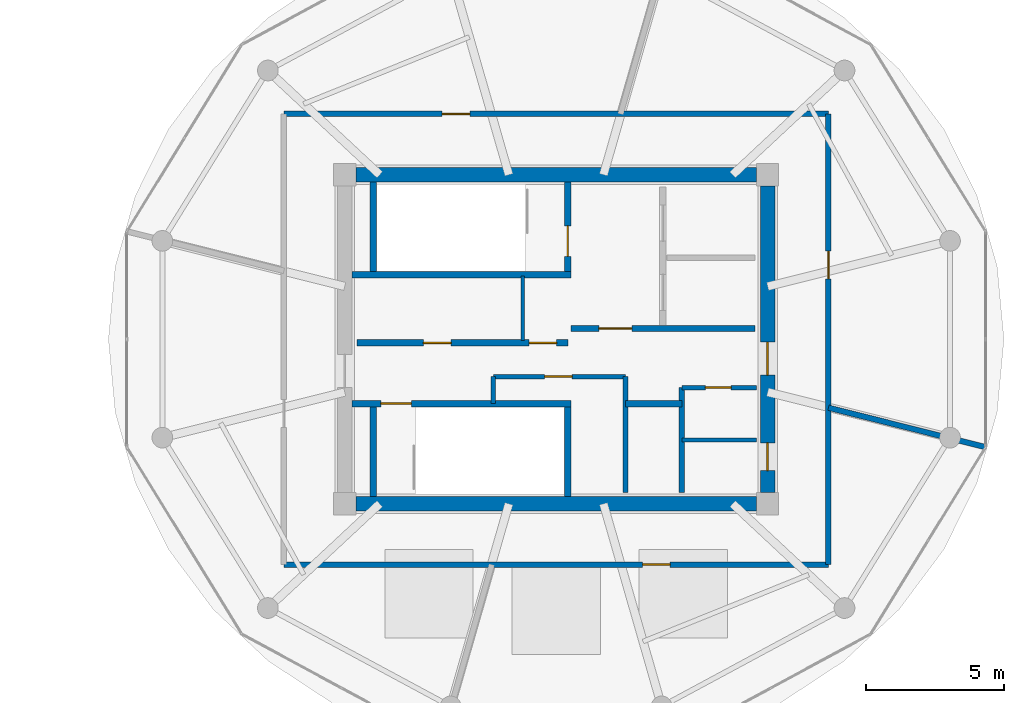
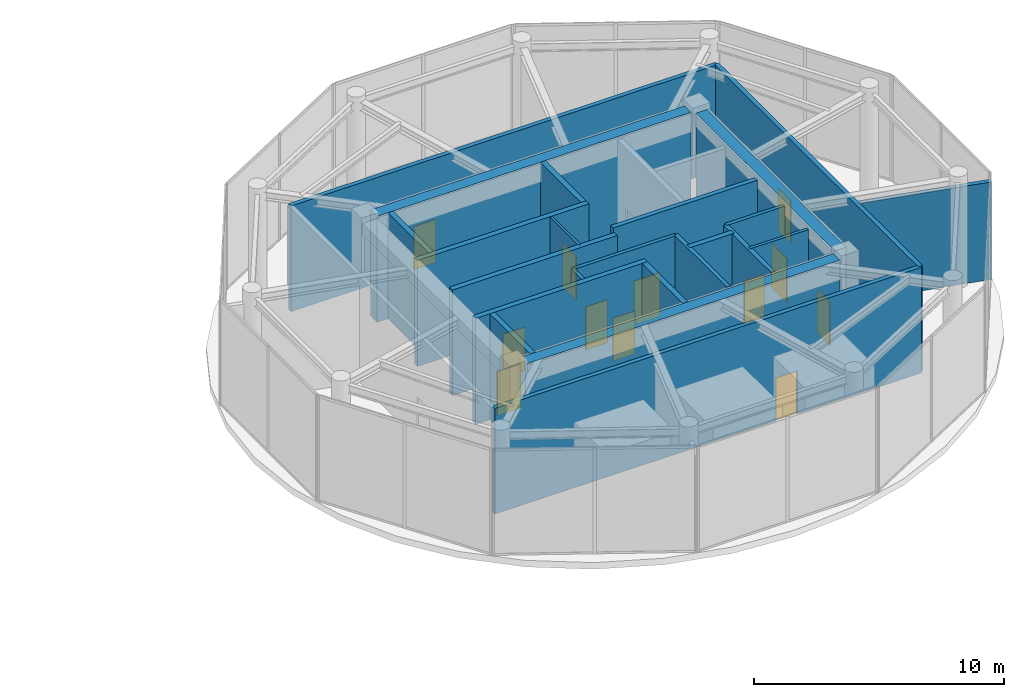
# One storey, part 12 of 15: 23 walls, 12 doors, 12 openings.
"""IFC4 building model written with IfcOpenShell, lengths in metres."""

from ifc_helpers import new_model, si_unit, direction, frame, frame_2d, origin, place, context, subcontext, project, spatial, rectangle, extrude, source, transform, mapped, material, layer, layer_set, type_object, type_shapes, element, fill, save


model = new_model("IFC4")

# Units and contexts
model_context = context("Model", 3, precision=1e-05, world=origin(), true_north=direction((0.0, 1.0)))
body_context = subcontext(model_context, "Body", "Model", "MODEL_VIEW")
ifc_project = project(units=[si_unit("LENGTHUNIT", "METRE"), si_unit("AREAUNIT", "SQUARE_METRE"), si_unit("VOLUMEUNIT", "CUBIC_METRE"), si_unit("PLANEANGLEUNIT", "RADIAN"), si_unit("MASSUNIT", "GRAM", prefix="KILO")], contexts=[model_context])

# Site, building, storey
site_placement = place(None, origin())
site = spatial("IfcSite", under=ifc_project, at=site_placement, CompositionType="ELEMENT")
building_placement = place(site_placement, origin())
building = spatial("IfcBuilding", under=site, at=building_placement, Name="Norrkilde Senior Care Towers", CompositionType="ELEMENT")
storey_placement = place(building_placement, frame((0.0, 0.0, 244.39990234375)))
storey = spatial("IfcBuildingStorey", under=building, at=storey_placement, Name="L76", CompositionType="ELEMENT", Elevation=244.39990234375)

# Walls
ifc_material_1 = material(Name="Concrete C50/60", Category="concrete")
ifc_layer_1 = layer(ifc_material_1, 0.52001953125)
ifc_layer_set_1 = layer_set([ifc_layer_1], Name="Concrete C50/60")
wall_type_1 = type_object("IfcWallType", Name="Core Shear Wall Z4 520", PredefinedType="SHEAR", material=ifc_layer_set_1)
shared_shape_1 = source(origin(), body_context, "Body", "SweptSolid", [
    extrude(rectangle(XDim=14.5, YDim=0.52001953125, at=frame_2d((7.25, 0.0))), origin(), (0.0, 0.0, 1.0), 5.175048828125),
])
for number, where, z_axis, x_axis, name in (
    (1, (20.75, 5.949951171875, 0.0), (0.0, 0.0, 1.0), (1.0, 0.0, 0.0), "L76 Core E North Shear Wall"),
    (2, (35.25, -5.949951171875, 0.0), (0.0, 0.0, 1.0), (-1.0, 0.0, 0.0), "L76 Core E South Shear Wall"),
):
    element("IfcWall", number, at=place(storey_placement, frame(where, z_axis=z_axis, x_axis=x_axis)), inside=storey, type_object=wall_type_1, Name=name, PredefinedType="SHEAR", context=body_context, shape_type="MappedRepresentation", body=[
        mapped(shared_shape_1, transform((0.0, 0.0, 0.0), x_axis=(1.0, 0.0, 0.0), y_axis=(0.0, 1.0, 0.0), z_axis=(0.0, 0.0, 1.0), scale=1.0)),
    ])

# Wall, openings, doors
shared_shape_2 = source(origin(), body_context, "Body", "SweptSolid", [
    extrude(rectangle(XDim=11.10009765625, YDim=0.52001953125, at=frame_2d((5.550048828125, 0.0))), origin(), (0.0, 0.0, 1.0), 5.175048828125),
])
type_shapes(wall_type_1, [shared_shape_1, shared_shape_2])
wall_1_placement = place(storey_placement, frame((35.64990234375, 5.550048828125, 0.0), z_axis=(0.0, 0.0, 1.0), x_axis=(0.0, -1.0, 0.0)))
wall_1 = element("IfcWall", 3, at=wall_1_placement, inside=storey, type_object=wall_type_1, Name="L76 Core E East Shear Wall", PredefinedType="SHEAR", context=body_context, shape_type="MappedRepresentation", body=[
    mapped(shared_shape_2, transform((0.0, 0.0, 0.0), x_axis=(1.0, 0.0, 0.0), y_axis=(0.0, 1.0, 0.0), z_axis=(0.0, 0.0, 1.0), scale=1.0)),
])
opening_1_placement = place(wall_1_placement, frame((5.64990234375, 0.0, 0.0)))
opening_1 = element("IfcOpeningElement", 4, at=opening_1_placement, cuts=wall_1, Name="Opening D-04", PredefinedType="OPENING", context=body_context, shape_type="SweptSolid", body=[
    extrude(rectangle(XDim=1.199951171875, YDim=2.14990234375, at=frame_2d((0.60009765625, 1.074951171875))), frame((0.0, 0.27001953125, 0.0), z_axis=(0.0, -1.0, 0.0), x_axis=(1.0, 0.0, 0.0)), (0.0, 0.0, 1.0), 0.5400390625),
])
opening_2_placement = place(wall_1_placement, frame((9.300048828125, 0.0, 0.0)))
opening_2 = element("IfcOpeningElement", 5, at=opening_2_placement, cuts=wall_1, Name="Opening D-10", PredefinedType="OPENING", context=body_context, shape_type="SweptSolid", body=[
    extrude(rectangle(XDim=1.0, YDim=2.10009765625, at=frame_2d((0.5, 1.050048828125))), frame((0.0, 0.27001953125, 0.0), z_axis=(0.0, -1.0, 0.0), x_axis=(1.0, 0.0, 0.0)), (0.0, 0.0, 1.0), 0.5400390625),
])
ifc_material_2 = material(Name="Galvanised Painted Steel", Category="steel")
door_type_1 = type_object("IfcDoorType", Name="Firefighting Lobby Fire Door 1200x2150", OperationType="NOTDEFINED", PredefinedType="DOOR", material=ifc_material_2)
shared_shape_3 = source(origin(), body_context, "Body", "SweptSolid", [
    extrude(rectangle(XDim=1.199951171875, YDim=2.14990234375, at=frame_2d((0.60009765625, 1.074951171875))), frame((0.0, 0.02490234375, 0.0), z_axis=(0.0, -1.0, 0.0), x_axis=(1.0, 0.0, 0.0)), (0.0, 0.0, 1.0), 0.050048828125),
])
type_shapes(door_type_1, [shared_shape_3])
door_1_placement = place(opening_1_placement, frame((1.199951171875, 0.0, 0.0), z_axis=(0.0, 0.0, 1.0), x_axis=(-1.0, 0.0, 0.0)))
door_1 = element("IfcDoor", 6, at=door_1_placement, inside=storey, type_object=door_type_1, Name="L76 Core E East Portal Door", OperationType="SINGLE_SWING_RIGHT", OverallHeight=2.14990234375, OverallWidth=1.199951171875, PredefinedType="DOOR", context=body_context, shape_type="MappedRepresentation", body=[
    mapped(shared_shape_3, transform((0.0, 0.0, 0.0), x_axis=(1.0, 0.0, 0.0), y_axis=(0.0, 1.0, 0.0), z_axis=(0.0, 0.0, 1.0), scale=1.0)),
])
fill(opening_1, door_1)
door_type_2 = type_object("IfcDoorType", Name="Plant and Riser Rated Door 1000x2100", OperationType="NOTDEFINED", PredefinedType="DOOR", material=ifc_material_2)
shared_shape_4 = source(origin(), body_context, "Body", "SweptSolid", [
    extrude(rectangle(XDim=1.0, YDim=2.10009765625, at=frame_2d((0.5, 1.050048828125))), frame((0.0, 0.02490234375, 0.0), z_axis=(0.0, -1.0, 0.0), x_axis=(1.0, 0.0, 0.0)), (0.0, 0.0, 1.0), 0.050048828125),
])
type_shapes(door_type_2, [shared_shape_4])
door_2_placement = place(opening_2_placement, frame((1.0, 0.0, 0.0), z_axis=(0.0, 0.0, 1.0), x_axis=(-1.0, 0.0, 0.0)))
door_2 = element("IfcDoor", 7, at=door_2_placement, inside=storey, type_object=door_type_2, Name="L76 Ventilation Riser E Door", OperationType="SINGLE_SWING_RIGHT", OverallHeight=2.10009765625, OverallWidth=1.0, PredefinedType="DOOR", context=body_context, shape_type="MappedRepresentation", body=[
    mapped(shared_shape_4, transform((0.0, 0.0, 0.0), x_axis=(1.0, 0.0, 0.0), y_axis=(0.0, 1.0, 0.0), z_axis=(0.0, 0.0, 1.0), scale=1.0)),
])
fill(opening_2, door_2)

# Wall
ifc_material_3 = material(Name="Concrete C45/55", Category="concrete")
ifc_layer_2 = layer(ifc_material_3, 0.239990234375)
ifc_layer_set_2 = layer_set([ifc_layer_2], Name="Concrete C45/55")
wall_type_2 = type_object("IfcWallType", Name="Shaft and Stair Enclosure Wall 240", PredefinedType="PARTITIONING", material=ifc_layer_set_2)
shared_shape_5 = source(origin(), body_context, "Body", "SweptSolid", [
    extrude(rectangle(XDim=7.929931640625, YDim=0.239990234375, at=frame_2d((3.96484375, 0.0))), origin(), (0.0, 0.0, 1.0), 5.175048828125),
])
wall_2_placement = place(storey_placement, frame((20.610107421875, 2.330078125, 0.0), z_axis=(0.0, 0.0, 1.0), x_axis=(1.0, 0.0, 0.0)))
element("IfcWall", 8, at=wall_2_placement, inside=storey, type_object=wall_type_2, Name="WL-INT-L76-E-ST1S", PredefinedType="PARTITIONING", context=body_context, shape_type="MappedRepresentation", body=[
    mapped(shared_shape_5, transform((0.0, 0.0, 0.0), x_axis=(1.0, 0.0, 0.0), y_axis=(0.0, 1.0, 0.0), z_axis=(0.0, 0.0, 1.0), scale=1.0)),
])

# Wall, opening, door
wall_3_placement = place(storey_placement, frame((20.610107421875, -2.330078125, 0.0), z_axis=(0.0, 0.0, 1.0), x_axis=(1.0, 0.0, 0.0)))
wall_3 = element("IfcWall", 9, at=wall_3_placement, inside=storey, type_object=wall_type_2, Name="WL-INT-L76-E-ST2N", PredefinedType="PARTITIONING", context=body_context, shape_type="MappedRepresentation", body=[
    mapped(shared_shape_5, transform((0.0, 0.0, 0.0), x_axis=(1.0, 0.0, 0.0), y_axis=(0.0, 1.0, 0.0), z_axis=(0.0, 0.0, 1.0), scale=1.0)),
])
opening_3_placement = place(wall_3_placement, frame((1.050048828125, 0.0, 0.0)))
opening_3 = element("IfcOpeningElement", 10, at=opening_3_placement, cuts=wall_3, Name="Opening D-03", PredefinedType="OPENING", context=body_context, shape_type="SweptSolid", body=[
    extrude(rectangle(XDim=1.10009765625, YDim=2.14990234375, at=frame_2d((0.550048828125, 1.074951171875))), frame((0.0, 0.1298828125, 0.0), z_axis=(0.0, -1.0, 0.0), x_axis=(1.0, 0.0, 0.0)), (0.0, 0.0, 1.0), 0.260009765625),
])
door_type_3 = type_object("IfcDoorType", Name="Stairwell Protected Fire Door 1100x2150", OperationType="NOTDEFINED", PredefinedType="DOOR", material=ifc_material_2)
shared_shape_6 = source(origin(), body_context, "Body", "SweptSolid", [
    extrude(rectangle(XDim=1.10009765625, YDim=2.14990234375, at=frame_2d((0.550048828125, 1.074951171875))), frame((0.0, 0.02490234375, 0.0), z_axis=(0.0, -1.0, 0.0), x_axis=(1.0, 0.0, 0.0)), (0.0, 0.0, 1.0), 0.050048828125),
])
type_shapes(door_type_3, [shared_shape_6])
door_3_placement = place(opening_3_placement, frame((1.10009765625, 0.0, 0.0), z_axis=(0.0, 0.0, 1.0), x_axis=(-1.0, 0.0, 0.0)))
door_3 = element("IfcDoor", 11, at=door_3_placement, inside=storey, type_object=door_type_3, Name="L76 Stair E2 Fire Door", OperationType="SINGLE_SWING_RIGHT", OverallHeight=2.14990234375, OverallWidth=1.10009765625, PredefinedType="DOOR", context=body_context, shape_type="MappedRepresentation", body=[
    mapped(shared_shape_6, transform((0.0, 0.0, 0.0), x_axis=(1.0, 0.0, 0.0), y_axis=(0.0, 1.0, 0.0), z_axis=(0.0, 0.0, 1.0), scale=1.0)),
])
fill(opening_3, door_3)

# Wall
shared_shape_7 = source(origin(), body_context, "Body", "SweptSolid", [
    extrude(rectangle(XDim=3.239990234375, YDim=0.239990234375, at=frame_2d((1.6201171875, 0.0))), origin(), (0.0, 0.0, 1.0), 5.175048828125),
])
type_shapes(wall_type_2, [shared_shape_5, shared_shape_7])
wall_4_placement = place(storey_placement, frame((21.3798828125, 2.449951171875, 0.0), z_axis=(0.0, 0.0, 1.0), x_axis=(0.0, 1.0, 0.0)))
element("IfcWall", 12, at=wall_4_placement, inside=storey, type_object=wall_type_2, Name="WL-INT-L76-E-ST1W", PredefinedType="PARTITIONING", context=body_context, shape_type="MappedRepresentation", body=[
    mapped(shared_shape_7, transform((0.0, 0.0, 0.0), x_axis=(1.0, 0.0, 0.0), y_axis=(0.0, 1.0, 0.0), z_axis=(0.0, 0.0, 1.0), scale=1.0)),
])

# Wall, opening, door
wall_5_placement = place(storey_placement, frame((28.419921875, 2.449951171875, 0.0), z_axis=(0.0, 0.0, 1.0), x_axis=(0.0, 1.0, 0.0)))
wall_5 = element("IfcWall", 13, at=wall_5_placement, inside=storey, type_object=wall_type_2, Name="WL-INT-L76-E-ST1E", PredefinedType="PARTITIONING", context=body_context, shape_type="MappedRepresentation", body=[
    mapped(shared_shape_7, transform((0.0, 0.0, 0.0), x_axis=(1.0, 0.0, 0.0), y_axis=(0.0, 1.0, 0.0), z_axis=(0.0, 0.0, 1.0), scale=1.0)),
])
opening_4_placement = place(wall_5_placement, frame((0.550048828125, 0.0, 0.0)))
opening_4 = element("IfcOpeningElement", 14, at=opening_4_placement, cuts=wall_5, Name="Opening D-03", PredefinedType="OPENING", context=body_context, shape_type="SweptSolid", body=[
    extrude(rectangle(XDim=1.10009765625, YDim=2.14990234375, at=frame_2d((0.550048828125, 1.074951171875))), frame((0.0, 0.1298828125, 0.0), z_axis=(0.0, -1.0, 0.0), x_axis=(1.0, 0.0, 0.0)), (0.0, 0.0, 1.0), 0.260009765625),
])
door_4_placement = place(opening_4_placement, origin())
door_4 = element("IfcDoor", 15, at=door_4_placement, inside=storey, type_object=door_type_3, Name="L76 Stair E1 Fire Door", OperationType="SINGLE_SWING_LEFT", OverallHeight=2.14990234375, OverallWidth=1.10009765625, PredefinedType="DOOR", context=body_context, shape_type="MappedRepresentation", body=[
    mapped(shared_shape_6, transform((0.0, 0.0, 0.0), x_axis=(1.0, 0.0, 0.0), y_axis=(0.0, 1.0, 0.0), z_axis=(0.0, 0.0, 1.0), scale=1.0)),
])
fill(opening_4, door_4)

# Walls
for number, where, z_axis, x_axis, name in (
    (16, (21.3798828125, -5.68994140625, 0.0), (0.0, 0.0, 1.0), (0.0, 1.0, 0.0), "WL-INT-L76-E-ST2W"),
    (17, (28.419921875, -5.68994140625, 0.0), (0.0, 0.0, 1.0), (0.0, 1.0, 0.0), "WL-INT-L76-E-ST2E"),
):
    element("IfcWall", number, at=place(storey_placement, frame(where, z_axis=z_axis, x_axis=x_axis)), inside=storey, type_object=wall_type_2, Name=name, PredefinedType="PARTITIONING", context=body_context, shape_type="MappedRepresentation", body=[
        mapped(shared_shape_7, transform((0.0, 0.0, 0.0), x_axis=(1.0, 0.0, 0.0), y_axis=(0.0, 1.0, 0.0), z_axis=(0.0, 0.0, 1.0), scale=1.0)),
    ])

# Wall, opening, door
ifc_layer_3 = layer(ifc_material_3, 0.2099609375)
ifc_layer_set_3 = layer_set([ifc_layer_3], Name="Concrete C45/55")
wall_type_3 = type_object("IfcWallType", Name="Firefighting Lobby Wall 210", PredefinedType="PARTITIONING", material=ifc_layer_set_3)
shared_shape_8 = source(origin(), body_context, "Body", "SweptSolid", [
    extrude(rectangle(XDim=6.659912109375, YDim=0.2099609375, at=frame_2d((3.330078125, 0.0))), origin(), (0.0, 0.0, 1.0), 5.16015625),
])
type_shapes(wall_type_3, [shared_shape_8])
wall_6_placement = place(storey_placement, frame((28.5400390625, 0.389892578125, 0.0), z_axis=(0.0, 0.0, 1.0), x_axis=(1.0, 0.0, 0.0)))
wall_6 = element("IfcWall", 18, at=wall_6_placement, inside=storey, type_object=wall_type_3, Name="WL-INT-L76-E-FFLS", PredefinedType="PARTITIONING", context=body_context, shape_type="MappedRepresentation", body=[
    mapped(shared_shape_8, transform((0.0, 0.0, 0.0), x_axis=(1.0, 0.0, 0.0), y_axis=(0.0, 1.0, 0.0), z_axis=(0.0, 0.0, 1.0), scale=1.0)),
])
opening_5_placement = place(wall_6_placement, frame((1.0, 0.0, 0.0)))
opening_5 = element("IfcOpeningElement", 19, at=opening_5_placement, cuts=wall_6, Name="Opening D-04", PredefinedType="OPENING", context=body_context, shape_type="SweptSolid", body=[
    extrude(rectangle(XDim=1.199951171875, YDim=2.14990234375, at=frame_2d((0.60009765625, 1.074951171875))), frame((0.0, 0.114990234375, 0.0), z_axis=(0.0, -1.0, 0.0), x_axis=(1.0, 0.0, 0.0)), (0.0, 0.0, 1.0), 0.22998046875),
])
door_5_placement = place(opening_5_placement, frame((1.199951171875, 0.0, 0.0), z_axis=(0.0, 0.0, 1.0), x_axis=(-1.0, 0.0, 0.0)))
door_5 = element("IfcDoor", 20, at=door_5_placement, inside=storey, type_object=door_type_1, Name="L76 Firefighting Lobby E Door", OperationType="SINGLE_SWING_LEFT", OverallHeight=2.14990234375, OverallWidth=1.199951171875, PredefinedType="DOOR", context=body_context, shape_type="MappedRepresentation", body=[
    mapped(shared_shape_3, transform((0.0, 0.0, 0.0), x_axis=(1.0, 0.0, 0.0), y_axis=(0.0, 1.0, 0.0), z_axis=(0.0, 0.0, 1.0), scale=1.0)),
])
fill(opening_5, door_5)

# Wall, openings, doors
ifc_layer_4 = layer(ifc_material_3, 0.239990234375)
ifc_layer_set_4 = layer_set([ifc_layer_4], Name="Concrete C45/55")
wall_type_4 = type_object("IfcWallType", Name="Lift and Plant Rated Enclosure Partition 240", PredefinedType="PARTITIONING", material=ifc_layer_set_4)
shared_shape_9 = source(origin(), body_context, "Body", "SweptSolid", [
    extrude(rectangle(XDim=7.619873046875, YDim=0.239990234375, at=frame_2d((3.81005859375, 0.0))), origin(), (0.0, 0.0, 1.0), 5.16015625),
])
wall_7_placement = place(storey_placement, frame((20.800048828125, -0.1298828125, 0.0), z_axis=(0.0, 0.0, 1.0), x_axis=(1.0, 0.0, 0.0)))
wall_7 = element("IfcWall", 21, at=wall_7_placement, inside=storey, type_object=wall_type_4, Name="WL-INT-L76-E-PKAS", PredefinedType="PARTITIONING", context=body_context, shape_type="MappedRepresentation", body=[
    mapped(shared_shape_9, transform((0.0, 0.0, 0.0), x_axis=(1.0, 0.0, 0.0), y_axis=(0.0, 1.0, 0.0), z_axis=(0.0, 0.0, 1.0), scale=1.0)),
])
opening_6_placement = place(wall_7_placement, frame((6.219970703125, 0.0, 0.0)))
opening_6 = element("IfcOpeningElement", 22, at=opening_6_placement, cuts=wall_7, Name="Opening D-10", PredefinedType="OPENING", context=body_context, shape_type="SweptSolid", body=[
    extrude(rectangle(XDim=1.0, YDim=2.10009765625, at=frame_2d((0.5, 1.050048828125))), frame((0.0, 0.1298828125, 0.0), z_axis=(0.0, -1.0, 0.0), x_axis=(1.0, 0.0, 0.0)), (0.0, 0.0, 1.0), 0.260009765625),
])
opening_7_placement = place(wall_7_placement, frame((2.39990234375, 0.0, 0.0)))
opening_7 = element("IfcOpeningElement", 23, at=opening_7_placement, cuts=wall_7, Name="Opening D-10", PredefinedType="OPENING", context=body_context, shape_type="SweptSolid", body=[
    extrude(rectangle(XDim=1.0, YDim=2.10009765625, at=frame_2d((0.5, 1.050048828125))), frame((0.0, 0.1298828125, 0.0), z_axis=(0.0, -1.0, 0.0), x_axis=(1.0, 0.0, 0.0)), (0.0, 0.0, 1.0), 0.260009765625),
])
door_6_placement = place(opening_6_placement, frame((1.0, 0.0, 0.0), z_axis=(0.0, 0.0, 1.0), x_axis=(-1.0, 0.0, 0.0)))
door_6 = element("IfcDoor", 24, at=door_6_placement, inside=storey, type_object=door_type_2, Name="L76 Electrical Riser E Door", OperationType="SINGLE_SWING_LEFT", OverallHeight=2.10009765625, OverallWidth=1.0, PredefinedType="DOOR", context=body_context, shape_type="MappedRepresentation", body=[
    mapped(shared_shape_4, transform((0.0, 0.0, 0.0), x_axis=(1.0, 0.0, 0.0), y_axis=(0.0, 1.0, 0.0), z_axis=(0.0, 0.0, 1.0), scale=1.0)),
])
fill(opening_6, door_6)
door_7_placement = place(opening_7_placement, frame((1.0, 0.0, 0.0), z_axis=(0.0, 0.0, 1.0), x_axis=(-1.0, 0.0, 0.0)))
door_7 = element("IfcDoor", 25, at=door_7_placement, inside=storey, type_object=door_type_2, Name="L76 Clean Supply Store E Door", OperationType="SINGLE_SWING_LEFT", OverallHeight=2.10009765625, OverallWidth=1.0, PredefinedType="DOOR", context=body_context, shape_type="MappedRepresentation", body=[
    mapped(shared_shape_4, transform((0.0, 0.0, 0.0), x_axis=(1.0, 0.0, 0.0), y_axis=(0.0, 1.0, 0.0), z_axis=(0.0, 0.0, 1.0), scale=1.0)),
])
fill(opening_7, door_7)

# Walls
ifc_material_4 = material(Name="Gypsum Acoustic Board")
ifc_layer_5 = layer(ifc_material_4, 0.114990234375)
ifc_layer_set_5 = layer_set([ifc_layer_5], Name="Gypsum Acoustic Board")
wall_type_5 = type_object("IfcWallType", Name="Internal Room Partition 115", PredefinedType="PARTITIONING", material=ifc_layer_set_5)
shared_shape_10 = source(origin(), body_context, "Body", "SweptSolid", [
    extrude(rectangle(XDim=2.330078125, YDim=0.114990234375, at=frame_2d((1.1650390625, 0.0))), origin(), (0.0, 0.0, 1.0), 5.16015625),
])
type_shapes(wall_type_5, [shared_shape_10])
wall_8_placement = place(storey_placement, frame((26.7900390625, -0.050048828125, 0.0), z_axis=(0.0, 0.0, 1.0), x_axis=(0.0, 1.0, 0.0)))
element("IfcWall", 26, at=wall_8_placement, inside=storey, type_object=wall_type_5, Name="WL-INT-L76-E-RISW", PredefinedType="PARTITIONING", context=body_context, shape_type="MappedRepresentation", body=[
    mapped(shared_shape_10, transform((0.0, 0.0, 0.0), x_axis=(1.0, 0.0, 0.0), y_axis=(0.0, 1.0, 0.0), z_axis=(0.0, 0.0, 1.0), scale=1.0)),
])
ifc_layer_6 = layer(ifc_material_3, 0.199951171875)
ifc_layer_set_6 = layer_set([ifc_layer_6], Name="Concrete C45/55")
wall_type_6 = type_object("IfcWallType", Name="Shaft Division and Plant Partition 200", PredefinedType="PARTITIONING", material=ifc_layer_set_6)
shared_shape_11 = source(origin(), body_context, "Body", "SweptSolid", [
    extrude(rectangle(XDim=3.800048828125, YDim=0.199951171875, at=frame_2d((1.89990234375, 0.0))), origin(), (0.0, 0.0, 1.0), 5.16015625),
])
wall_9_placement = place(storey_placement, frame((32.550048828125, -5.550048828125, 0.0), z_axis=(0.0, 0.0, 1.0), x_axis=(0.0, 1.0, 0.0)))
element("IfcWall", 27, at=wall_9_placement, inside=storey, type_object=wall_type_6, Name="WL-INT-L76-E-PKBE", PredefinedType="PARTITIONING", context=body_context, shape_type="MappedRepresentation", body=[
    mapped(shared_shape_11, transform((0.0, 0.0, 0.0), x_axis=(1.0, 0.0, 0.0), y_axis=(0.0, 1.0, 0.0), z_axis=(0.0, 0.0, 1.0), scale=1.0)),
])
shared_shape_12 = source(origin(), body_context, "Body", "SweptSolid", [
    extrude(rectangle(XDim=2.050048828125, YDim=0.239990234375, at=frame_2d((1.02490234375, 0.0))), origin(), (0.0, 0.0, 1.0), 5.16015625),
])
type_shapes(wall_type_4, [shared_shape_9, shared_shape_12])
wall_10_placement = place(storey_placement, frame((30.5, -2.330078125, 0.0), z_axis=(0.0, 0.0, 1.0), x_axis=(1.0, 0.0, 0.0)))
element("IfcWall", 28, at=wall_10_placement, inside=storey, type_object=wall_type_4, Name="WL-INT-L76-E-PL4N", PredefinedType="PARTITIONING", context=body_context, shape_type="MappedRepresentation", body=[
    mapped(shared_shape_12, transform((0.0, 0.0, 0.0), x_axis=(1.0, 0.0, 0.0), y_axis=(0.0, 1.0, 0.0), z_axis=(0.0, 0.0, 1.0), scale=1.0)),
])
ifc_layer_7 = layer(ifc_material_3, 0.179931640625)
ifc_layer_set_7 = layer_set([ifc_layer_7], Name="Concrete C45/55")
wall_type_7 = type_object("IfcWallType", Name="Hoistway Division Rated Partition 180", PredefinedType="PARTITIONING", material=ifc_layer_set_7)
shared_shape_13 = source(origin(), body_context, "Body", "SweptSolid", [
    extrude(rectangle(XDim=4.199951171875, YDim=0.179931640625, at=frame_2d((2.10009765625, 0.0))), origin(), (0.0, 0.0, 1.0), 5.16015625),
])
type_shapes(wall_type_7, [shared_shape_13])
wall_11_placement = place(storey_placement, frame((30.5, -5.550048828125, 0.0), z_axis=(0.0, 0.0, 1.0), x_axis=(0.0, 1.0, 0.0)))
element("IfcWall", 29, at=wall_11_placement, inside=storey, type_object=wall_type_7, Name="WL-INT-L76-E-PL4W", PredefinedType="PARTITIONING", context=body_context, shape_type="MappedRepresentation", body=[
    mapped(shared_shape_13, transform((0.0, 0.0, 0.0), x_axis=(1.0, 0.0, 0.0), y_axis=(0.0, 1.0, 0.0), z_axis=(0.0, 0.0, 1.0), scale=1.0)),
])

# Wall, opening, door
ifc_layer_8 = layer(ifc_material_4, 0.1650390625)
ifc_layer_set_8 = layer_set([ifc_layer_8], Name="Gypsum Acoustic Board")
wall_type_8 = type_object("IfcWallType", Name="Corridor Rated Partition 165", PredefinedType="PARTITIONING", material=ifc_layer_set_8)
shared_shape_14 = source(origin(), body_context, "Body", "SweptSolid", [
    extrude(rectangle(XDim=4.77001953125, YDim=0.1650390625, at=frame_2d((2.385009765625, 0.0))), origin(), (0.0, 0.0, 1.0), 5.16015625),
])
wall_12_placement = place(storey_placement, frame((25.72998046875, -1.35009765625, 0.0), z_axis=(0.0, 0.0, 1.0), x_axis=(1.0, 0.0, 0.0)))
wall_12 = element("IfcWall", 30, at=wall_12_placement, inside=storey, type_object=wall_type_8, Name="WL-INT-L76-E-FR2N", PredefinedType="PARTITIONING", context=body_context, shape_type="MappedRepresentation", body=[
    mapped(shared_shape_14, transform((0.0, 0.0, 0.0), x_axis=(1.0, 0.0, 0.0), y_axis=(0.0, 1.0, 0.0), z_axis=(0.0, 0.0, 1.0), scale=1.0)),
])
opening_8_placement = place(wall_12_placement, frame((1.85009765625, 0.0, 0.0)))
opening_8 = element("IfcOpeningElement", 31, at=opening_8_placement, cuts=wall_12, Name="Opening D-10", PredefinedType="OPENING", context=body_context, shape_type="SweptSolid", body=[
    extrude(rectangle(XDim=1.0, YDim=2.10009765625, at=frame_2d((0.5, 1.050048828125))), frame((0.0, 0.092529296875, 0.0), z_axis=(0.0, -1.0, 0.0), x_axis=(1.0, 0.0, 0.0)), (0.0, 0.0, 1.0), 0.18505859375),
])
door_8_placement = place(opening_8_placement, origin())
door_8 = element("IfcDoor", 32, at=door_8_placement, inside=storey, type_object=door_type_2, Name="L76 Core Pantry E Door", OperationType="SINGLE_SWING_RIGHT", OverallHeight=2.10009765625, OverallWidth=1.0, PredefinedType="DOOR", context=body_context, shape_type="MappedRepresentation", body=[
    mapped(shared_shape_4, transform((0.0, 0.0, 0.0), x_axis=(1.0, 0.0, 0.0), y_axis=(0.0, 1.0, 0.0), z_axis=(0.0, 0.0, 1.0), scale=1.0)),
])
fill(opening_8, door_8)

# Wall
shared_shape_15 = source(origin(), body_context, "Body", "SweptSolid", [
    extrude(rectangle(XDim=0.97998046875, YDim=0.1650390625, at=frame_2d((0.489990234375, 0.0))), origin(), (0.0, 0.0, 1.0), 5.16015625),
])
wall_13_placement = place(storey_placement, frame((25.72998046875, -2.330078125, 0.0), z_axis=(0.0, 0.0, 1.0), x_axis=(0.0, 1.0, 0.0)))
element("IfcWall", 33, at=wall_13_placement, inside=storey, type_object=wall_type_8, Name="WL-INT-L76-E-FR2W", PredefinedType="PARTITIONING", context=body_context, shape_type="MappedRepresentation", body=[
    mapped(shared_shape_15, transform((0.0, 0.0, 0.0), x_axis=(1.0, 0.0, 0.0), y_axis=(0.0, 1.0, 0.0), z_axis=(0.0, 0.0, 1.0), scale=1.0)),
])

# Wall, opening, door
shared_shape_16 = source(origin(), body_context, "Body", "SweptSolid", [
    extrude(rectangle(XDim=2.699951171875, YDim=0.1650390625, at=frame_2d((1.35009765625, 0.0))), origin(), (0.0, 0.0, 1.0), 5.16015625),
])
type_shapes(wall_type_8, [shared_shape_14, shared_shape_15, shared_shape_16])
wall_14_placement = place(storey_placement, frame((32.550048828125, -1.75, 0.0), z_axis=(0.0, 0.0, 1.0), x_axis=(1.0, 0.0, 0.0)))
wall_14 = element("IfcWall", 34, at=wall_14_placement, inside=storey, type_object=wall_type_8, Name="WL-INT-L76-E-CSN", PredefinedType="PARTITIONING", context=body_context, shape_type="MappedRepresentation", body=[
    mapped(shared_shape_16, transform((0.0, 0.0, 0.0), x_axis=(1.0, 0.0, 0.0), y_axis=(0.0, 1.0, 0.0), z_axis=(0.0, 0.0, 1.0), scale=1.0)),
])
opening_9_placement = place(wall_14_placement, frame((0.85009765625, 0.0, 0.0)))
opening_9 = element("IfcOpeningElement", 35, at=opening_9_placement, cuts=wall_14, Name="Opening D-12", PredefinedType="OPENING", context=body_context, shape_type="SweptSolid", body=[
    extrude(rectangle(XDim=0.925048828125, YDim=2.10009765625, at=frame_2d((0.46240234375, 1.050048828125))), frame((0.0, 0.092529296875, 0.0), z_axis=(0.0, -1.0, 0.0), x_axis=(1.0, 0.0, 0.0)), (0.0, 0.0, 1.0), 0.18505859375),
])
door_type_4 = type_object("IfcDoorType", Name="Core Wet Room Rated Door 925x2100", OperationType="NOTDEFINED", PredefinedType="DOOR", material=ifc_material_2)
shared_shape_17 = source(origin(), body_context, "Body", "SweptSolid", [
    extrude(rectangle(XDim=0.925048828125, YDim=2.10009765625, at=frame_2d((0.46240234375, 1.050048828125))), frame((0.0, 0.02490234375, 0.0), z_axis=(0.0, -1.0, 0.0), x_axis=(1.0, 0.0, 0.0)), (0.0, 0.0, 1.0), 0.050048828125),
])
type_shapes(door_type_4, [shared_shape_17])
door_9_placement = place(opening_9_placement, origin())
door_9 = element("IfcDoor", 36, at=door_9_placement, inside=storey, type_object=door_type_4, Name="L76 Staff WC E Door", OperationType="SINGLE_SWING_LEFT", OverallHeight=2.10009765625, OverallWidth=0.925048828125, PredefinedType="DOOR", context=body_context, shape_type="MappedRepresentation", body=[
    mapped(shared_shape_17, transform((0.0, 0.0, 0.0), x_axis=(1.0, 0.0, 0.0), y_axis=(0.0, 1.0, 0.0), z_axis=(0.0, 0.0, 1.0), scale=1.0)),
])
fill(opening_9, door_9)

# Wall
ifc_layer_9 = layer(ifc_material_4, 0.139892578125)
ifc_layer_set_9 = layer_set([ifc_layer_9], Name="Gypsum Acoustic Board")
wall_type_9 = type_object("IfcWallType", Name="En-suite Wet Room Wall 140", PredefinedType="PARTITIONING", material=ifc_layer_set_9)
shared_shape_18 = source(origin(), body_context, "Body", "SweptSolid", [
    extrude(rectangle(XDim=2.699951171875, YDim=0.139892578125, at=frame_2d((1.35009765625, 0.0))), origin(), (0.0, 0.0, 1.0), 5.16015625),
])
type_shapes(wall_type_9, [shared_shape_18])
wall_15_placement = place(storey_placement, frame((32.550048828125, -3.64990234375, 0.0), z_axis=(0.0, 0.0, 1.0), x_axis=(1.0, 0.0, 0.0)))
element("IfcWall", 37, at=wall_15_placement, inside=storey, type_object=wall_type_9, Name="WL-INT-L76-E-CS2H", PredefinedType="PARTITIONING", context=body_context, shape_type="MappedRepresentation", body=[
    mapped(shared_shape_18, transform((0.0, 0.0, 0.0), x_axis=(1.0, 0.0, 0.0), y_axis=(0.0, 1.0, 0.0), z_axis=(0.0, 0.0, 1.0), scale=1.0)),
])

# Wall, opening, door
shared_shape_19 = source(origin(), body_context, "Body", "SweptSolid", [
    extrude(rectangle(XDim=19.7001953125, YDim=0.199951171875, at=frame_2d((9.85009765625, 0.0))), origin(), (0.0, 0.0, 1.0), 5.16015625),
])
wall_16_placement = place(storey_placement, frame((18.14990234375, 8.14990234375, 0.0), z_axis=(0.0, 0.0, 1.0), x_axis=(1.0, 0.0, 0.0)))
wall_16 = element("IfcWall", 38, at=wall_16_placement, inside=storey, type_object=wall_type_6, Name="WL-INT-L76-E-PCR-N", PredefinedType="PARTITIONING", context=body_context, shape_type="MappedRepresentation", body=[
    mapped(shared_shape_19, transform((0.0, 0.0, 0.0), x_axis=(1.0, 0.0, 0.0), y_axis=(0.0, 1.0, 0.0), z_axis=(0.0, 0.0, 1.0), scale=1.0)),
])
opening_10_placement = place(wall_16_placement, frame((5.72509765625, 0.0, 0.0)))
opening_10 = element("IfcOpeningElement", 39, at=opening_10_placement, cuts=wall_16, Name="Opening D-10", PredefinedType="OPENING", context=body_context, shape_type="SweptSolid", body=[
    extrude(rectangle(XDim=1.0, YDim=2.10009765625, at=frame_2d((0.5, 1.050048828125))), frame((0.0, 0.10986328125, 0.0), z_axis=(0.0, -1.0, 0.0), x_axis=(1.0, 0.0, 0.0)), (0.0, 0.0, 1.0), 0.219970703125),
])
door_10_placement = place(opening_10_placement, frame((1.0, 0.0, 0.0), z_axis=(0.0, 0.0, 1.0), x_axis=(-1.0, 0.0, 0.0)))
door_10 = element("IfcDoor", 40, at=door_10_placement, inside=storey, type_object=door_type_2, Name="L76 Dedicated Outdoor Air Handling Unit Room Door", OperationType="SINGLE_SWING_LEFT", OverallHeight=2.10009765625, OverallWidth=1.0, PredefinedType="DOOR", context=body_context, shape_type="MappedRepresentation", body=[
    mapped(shared_shape_4, transform((0.0, 0.0, 0.0), x_axis=(1.0, 0.0, 0.0), y_axis=(0.0, 1.0, 0.0), z_axis=(0.0, 0.0, 1.0), scale=1.0)),
])
fill(opening_10, door_10)

wall_17_placement = place(storey_placement, frame((37.85009765625, -8.14990234375, 0.0), z_axis=(0.0, 0.0, 1.0), x_axis=(-1.0, 0.0, 0.0)))
wall_17 = element("IfcWall", 41, at=wall_17_placement, inside=storey, type_object=wall_type_6, Name="WL-INT-L76-E-PCR-S", PredefinedType="PARTITIONING", context=body_context, shape_type="MappedRepresentation", body=[
    mapped(shared_shape_19, transform((0.0, 0.0, 0.0), x_axis=(1.0, 0.0, 0.0), y_axis=(0.0, 1.0, 0.0), z_axis=(0.0, 0.0, 1.0), scale=1.0)),
])
opening_11_placement = place(wall_17_placement, frame((5.72509765625, 0.0, 0.0)))
opening_11 = element("IfcOpeningElement", 42, at=opening_11_placement, cuts=wall_17, Name="Opening D-10", PredefinedType="OPENING", context=body_context, shape_type="SweptSolid", body=[
    extrude(rectangle(XDim=1.0, YDim=2.10009765625, at=frame_2d((0.5, 1.050048828125))), frame((0.0, 0.10986328125, 0.0), z_axis=(0.0, -1.0, 0.0), x_axis=(1.0, 0.0, 0.0)), (0.0, 0.0, 1.0), 0.219970703125),
])
door_11_placement = place(opening_11_placement, frame((1.0, 0.0, 0.0), z_axis=(0.0, 0.0, 1.0), x_axis=(-1.0, 0.0, 0.0)))
door_11 = element("IfcDoor", 43, at=door_11_placement, inside=storey, type_object=door_type_2, Name="L76 Tuned Mass Damper Pendulum Chamber Door", OperationType="SINGLE_SWING_LEFT", OverallHeight=2.10009765625, OverallWidth=1.0, PredefinedType="DOOR", context=body_context, shape_type="MappedRepresentation", body=[
    mapped(shared_shape_4, transform((0.0, 0.0, 0.0), x_axis=(1.0, 0.0, 0.0), y_axis=(0.0, 1.0, 0.0), z_axis=(0.0, 0.0, 1.0), scale=1.0)),
])
fill(opening_11, door_11)

shared_shape_20 = source(origin(), body_context, "Body", "SweptSolid", [
    extrude(rectangle(XDim=16.2998046875, YDim=0.199951171875, at=frame_2d((8.14990234375, 0.0))), origin(), (0.0, 0.0, 1.0), 5.16015625),
])
wall_18_placement = place(storey_placement, frame((37.85009765625, 8.14990234375, 0.0), z_axis=(0.0, 0.0, 1.0), x_axis=(0.0, -1.0, 0.0)))
wall_18 = element("IfcWall", 44, at=wall_18_placement, inside=storey, type_object=wall_type_6, Name="WL-INT-L76-E-PCR-E", PredefinedType="PARTITIONING", context=body_context, shape_type="MappedRepresentation", body=[
    mapped(shared_shape_20, transform((0.0, 0.0, 0.0), x_axis=(1.0, 0.0, 0.0), y_axis=(0.0, 1.0, 0.0), z_axis=(0.0, 0.0, 1.0), scale=1.0)),
])
opening_12_placement = place(wall_18_placement, frame((4.965576171875, 0.0, 0.0)))
opening_12 = element("IfcOpeningElement", 45, at=opening_12_placement, cuts=wall_18, Name="Opening D-10", PredefinedType="OPENING", context=body_context, shape_type="SweptSolid", body=[
    extrude(rectangle(XDim=1.0, YDim=2.10009765625, at=frame_2d((0.5, 1.050048828125))), frame((0.0, 0.10986328125, 0.0), z_axis=(0.0, -1.0, 0.0), x_axis=(1.0, 0.0, 0.0)), (0.0, 0.0, 1.0), 0.219970703125),
])
door_12_placement = place(opening_12_placement, frame((1.0, 0.0, 0.0), z_axis=(0.0, 0.0, 1.0), x_axis=(-1.0, 0.0, 0.0)))
door_12 = element("IfcDoor", 46, at=door_12_placement, inside=storey, type_object=door_type_2, Name="L76 Chiller and Heat-Recovery Cooling Plant Door", OperationType="SINGLE_SWING_RIGHT", OverallHeight=2.10009765625, OverallWidth=1.0, PredefinedType="DOOR", context=body_context, shape_type="MappedRepresentation", body=[
    mapped(shared_shape_4, transform((0.0, 0.0, 0.0), x_axis=(1.0, 0.0, 0.0), y_axis=(0.0, 1.0, 0.0), z_axis=(0.0, 0.0, 1.0), scale=1.0)),
])
fill(opening_12, door_12)

# Wall
shared_shape_21 = source(origin(), body_context, "Body", "SweptSolid", [
    extrude(rectangle(XDim=5.878662109375, YDim=0.199951171875, at=frame_2d((2.939453125, 0.0))), origin(), (0.0, 0.0, 1.0), 4.760009765625),
])
type_shapes(wall_type_6, [shared_shape_11, shared_shape_19, shared_shape_20, shared_shape_21])
wall_19_placement = place(storey_placement, frame((37.85009765625, -2.475341796875, 0.0), z_axis=(0.0, 0.0, 1.0), x_axis=(0.96984127658, -0.24373735504, 0.0)))
element("IfcWall", 47, at=wall_19_placement, inside=storey, type_object=wall_type_6, Name="WL-INT-L76-E-PRAD-1-0", PredefinedType="PARTITIONING", context=body_context, shape_type="MappedRepresentation", body=[
    mapped(shared_shape_21, transform((0.0, 0.0, 0.0), x_axis=(1.0, 0.0, 0.0), y_axis=(0.0, 1.0, 0.0), z_axis=(0.0, 0.0, 1.0), scale=1.0)),
])

save(model, "model.ifc")
